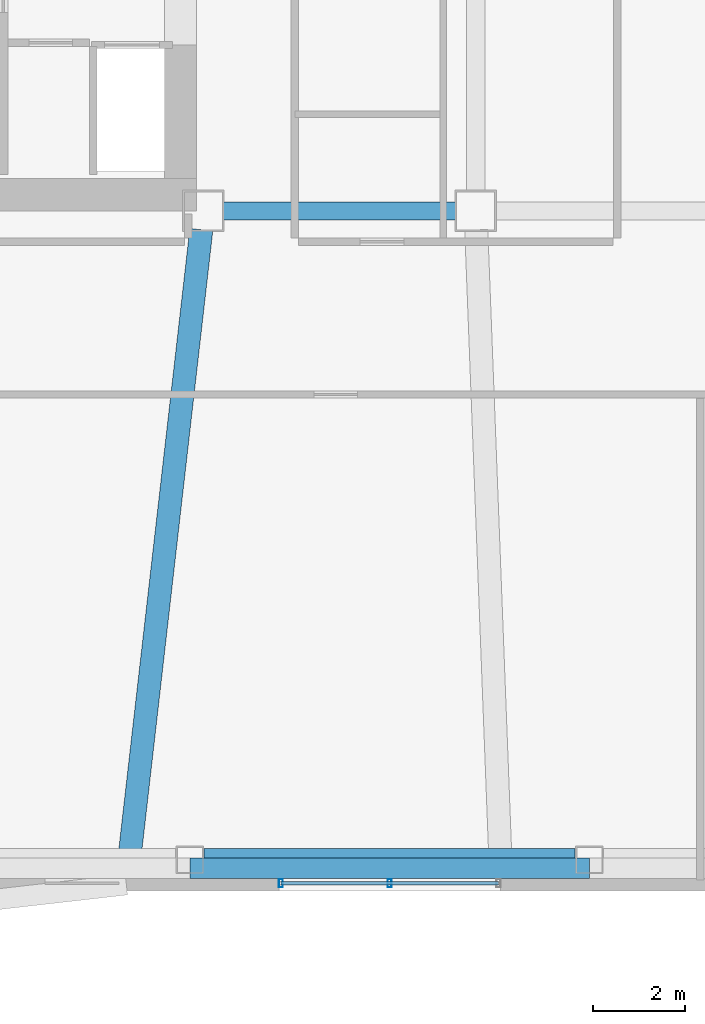
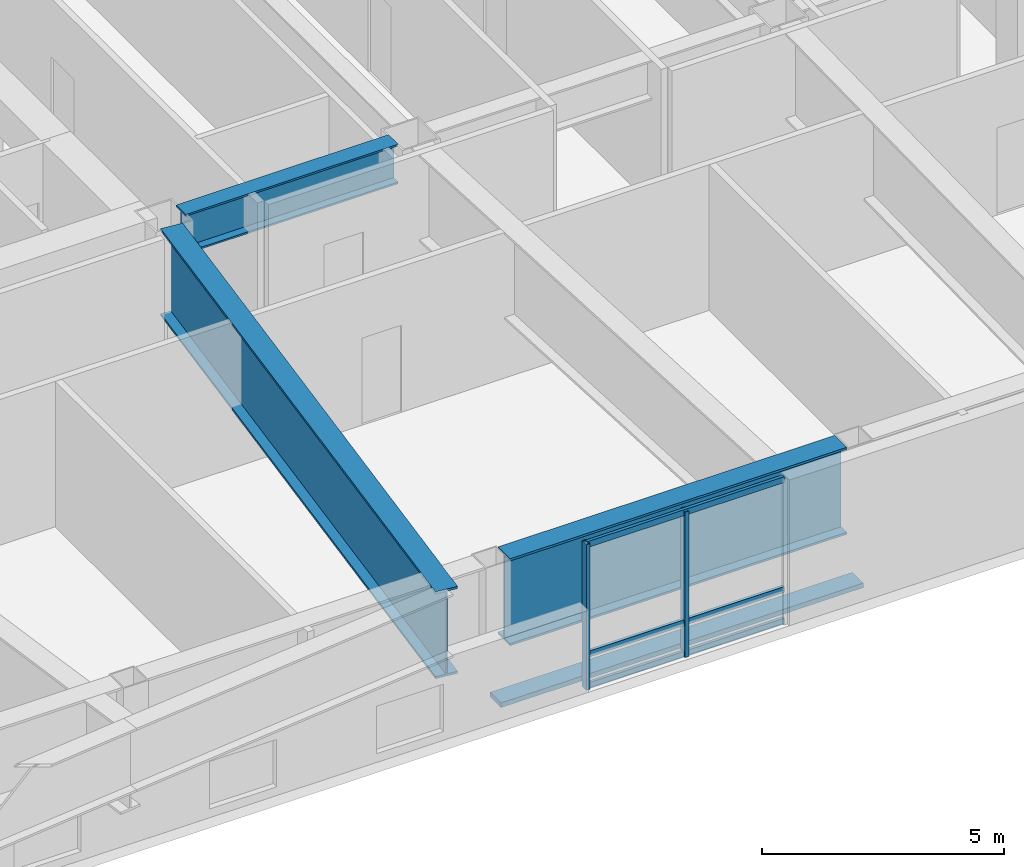
# One storey, part 2 of 19: 6 members, 3 beams, 1 element without a shape of its own.
"""IFC4 building model written with IfcOpenShell, lengths in metres."""

from ifc_helpers import new_model, si_unit, direction, frame, origin, origin_2d, place, context, subcontext, project, spatial, rectangle, hollow_rectangle, i_section, extrude, material, layer, layer_set, material_profile, profile_set, type_object, element, aggregate, save


model = new_model("IFC4")

# Units and contexts
model_context = context("Model", 3, precision=1e-05, world=origin(), true_north=direction((0.0, 1.0)))
body_context = subcontext(model_context, "Body", "Model", "MODEL_VIEW")
ifc_project = project(units=[si_unit("LENGTHUNIT", "METRE"), si_unit("AREAUNIT", "SQUARE_METRE"), si_unit("VOLUMEUNIT", "CUBIC_METRE"), si_unit("PLANEANGLEUNIT", "RADIAN"), si_unit("MASSUNIT", "GRAM", prefix="KILO")], contexts=[model_context])

# Site, building, storey
site_placement = place(None, origin())
site = spatial("IfcSite", under=ifc_project, at=site_placement, CompositionType="ELEMENT")
building_placement = place(site_placement, origin())
building = spatial("IfcBuilding", under=site, at=building_placement, Name="Tavrogorsk Clinical Tower", CompositionType="ELEMENT")
storey_placement = place(building_placement, frame((0.0, 0.0, 204.199951171875)))
storey = spatial("IfcBuildingStorey", under=building, at=storey_placement, Name="L47", CompositionType="ELEMENT", Elevation=204.199951171875)

# Member
ifc_material_1 = material(Name="Anodised aluminium alloy AW-6063", Category="aluminium")
ifc_material_profile_1 = material_profile(ifc_material_1, rectangle(XDim=0.449951171875, YDim=0.1201171875, at=origin_2d()), Name="ALU-SUNSHADE-450x120")
ifc_profile_set_1 = profile_set([ifc_material_profile_1], Name="Anodised aluminium alloy AW-6063")
member_type_1 = type_object("IfcMemberType", Name="ChicagoSunshade_450x120", PredefinedType="USERDEFINED", material=ifc_profile_set_1)
member_1_placement = place(storey_placement, frame((-10.59423828125, -20.60009765625, 0.179931640625), z_axis=(1.0, 0.0, 0.0), x_axis=(0.0, 1.0, 0.0)))
element("IfcMember", 1, at=member_1_placement, inside=storey, type_object=member_type_1, Name="L47 South Aluminium Sunshade S3", ObjectType="SUNSHADE", PredefinedType="USERDEFINED", context=body_context, shape_type="SweptSolid", body=[
    extrude(rectangle(XDim=0.449951171875, YDim=0.1201171875, at=origin_2d()), origin(), (0.0, 0.0, 1.0), 8.662841796875),
])

# Curtain wall, members
ifc_material_2 = material(Name="Anodised aluminium and triple IGU glazing", Category="aluminium")
ifc_layer = layer(ifc_material_2, 0.179931640625)
ifc_layer_set = layer_set([ifc_layer], Name="Anodised aluminium and triple IGU glazing")
curtain_wall_type = type_object("IfcCurtainWallType", Name="CW3_SouthSlot", PredefinedType="NOTDEFINED", material=ifc_layer_set)
curtain_wall_placement = place(storey_placement, origin())
curtain_wall = element("IfcCurtainWall", 2, at=curtain_wall_placement, inside=storey, type_object=curtain_wall_type, Name="L47 Curtain Wall CW-L47-S-SLOT-1", PredefinedType="NOTDEFINED")
ifc_material_3 = material(Name="Anodised aluminium alloy AW-6060", Category="aluminium")
ifc_material_profile_2 = material_profile(ifc_material_3, hollow_rectangle(XDim=0.090087890625, YDim=0.179931640625, WallThickness=0.00634765625, at=origin_2d()), Name="RHS-180x90x6.3")
ifc_profile_set_2 = profile_set([ifc_material_profile_2], Name="Anodised aluminium alloy AW-6060")
member_type_2 = type_object("IfcMemberType", Name="CwMullion_180x90", PredefinedType="MULLION", material=ifc_profile_set_2)
member_2_placement = place(storey_placement, frame((-8.621826171875, -20.929931640625, 0.0), z_axis=(0.0, 0.0, 1.0), x_axis=(1.0, 0.0, 0.0)))
member_2 = element("IfcMember", 3, at=member_2_placement, type_object=member_type_2, Name="CW-L47-S-SLOT-1 Mullion 1", PredefinedType="MULLION", context=body_context, shape_type="SweptSolid", body=[
    extrude(hollow_rectangle(XDim=0.090087890625, YDim=0.179931640625, WallThickness=0.00634765625, at=origin_2d()), origin(), (0.0, 0.0, 1.0), 3.679931640625),
])
member_3_placement = place(storey_placement, frame((-6.262939453125, -20.929931640625, 0.0), z_axis=(0.0, 0.0, 1.0), x_axis=(1.0, 0.0, 0.0)))
member_3 = element("IfcMember", 4, at=member_3_placement, type_object=member_type_2, Name="CW-L47-S-SLOT-1 Mullion 2", PredefinedType="MULLION", context=body_context, shape_type="SweptSolid", body=[
    extrude(hollow_rectangle(XDim=0.090087890625, YDim=0.179931640625, WallThickness=0.00634765625, at=origin_2d()), origin(), (0.0, 0.0, 1.0), 3.679931640625),
])
ifc_material_4 = material(Name="Anodised aluminium alloy AW-6060", Category="aluminium")
ifc_material_profile_3 = material_profile(ifc_material_4, hollow_rectangle(XDim=0.074951171875, YDim=0.14990234375, WallThickness=0.0048828125, at=origin_2d()), Name="RHS-150x75x5")
ifc_profile_set_3 = profile_set([ifc_material_profile_3], Name="Anodised aluminium alloy AW-6060")
member_type_3 = type_object("IfcMemberType", Name="CwTransom_150x75", PredefinedType="USERDEFINED", material=ifc_profile_set_3)
member_4_placement = place(storey_placement, frame((-8.621826171875, -20.929931640625, 0.050048828125), z_axis=(1.0, 0.0, 0.0), x_axis=(0.0, 1.0, 0.0)))
member_4 = element("IfcMember", 5, at=member_4_placement, type_object=member_type_3, Name="CW-L47-S-SLOT-1 Transom 1", ObjectType="TRANSOM", PredefinedType="USERDEFINED", context=body_context, shape_type="SweptSolid", body=[
    extrude(hollow_rectangle(XDim=0.074951171875, YDim=0.14990234375, WallThickness=0.0048828125, at=origin_2d()), origin(), (0.0, 0.0, 1.0), 4.718017578125),
])
member_5_placement = place(storey_placement, frame((-8.621826171875, -20.929931640625, 0.85009765625), z_axis=(1.0, 0.0, 0.0), x_axis=(0.0, 1.0, 0.0)))
member_5 = element("IfcMember", 6, at=member_5_placement, type_object=member_type_3, Name="CW-L47-S-SLOT-1 Transom 2", ObjectType="TRANSOM", PredefinedType="USERDEFINED", context=body_context, shape_type="SweptSolid", body=[
    extrude(hollow_rectangle(XDim=0.074951171875, YDim=0.14990234375, WallThickness=0.0048828125, at=origin_2d()), origin(), (0.0, 0.0, 1.0), 4.718017578125),
])
member_6_placement = place(storey_placement, frame((-8.621826171875, -20.929931640625, 3.630126953125), z_axis=(1.0, 0.0, 0.0), x_axis=(0.0, 1.0, 0.0)))
member_6 = element("IfcMember", 7, at=member_6_placement, type_object=member_type_3, Name="CW-L47-S-SLOT-1 Transom 3", ObjectType="TRANSOM", PredefinedType="USERDEFINED", context=body_context, shape_type="SweptSolid", body=[
    extrude(hollow_rectangle(XDim=0.074951171875, YDim=0.14990234375, WallThickness=0.0048828125, at=origin_2d()), origin(), (0.0, 0.0, 1.0), 4.718017578125),
])
aggregate(curtain_wall, [member_2, member_3, member_4, member_5, member_6])

# Beams
ifc_material_5 = material(Name="Structural steel S440", Category="steel")
ifc_material_profile_4 = material_profile(ifc_material_5, i_section(OverallWidth=0.39990234375, OverallDepth=1.0, WebThickness=0.028076171875, FlangeThickness=0.044921875, at=origin_2d()), Name="DK-1000x400x28x45")
ifc_profile_set_4 = profile_set([ifc_material_profile_4], Name="Structural steel S440")
beam_type_1 = type_object("IfcBeamType", Name="TransferGirder_DK1000", PredefinedType="USERDEFINED", material=ifc_profile_set_4)
beam_1_placement = place(storey_placement, frame((-9.889892578125, -6.35009765625, 3.179931640625), z_axis=(1.0, 0.0, 0.0), x_axis=(0.0, 1.0, 0.0)))
element("IfcBeam", 8, at=beam_1_placement, inside=storey, type_object=beam_type_1, Name="L47 Primary Spine Girder MG-01", ObjectType="GIRDER", PredefinedType="USERDEFINED", context=body_context, shape_type="SweptSolid", body=[
    extrude(i_section(OverallWidth=0.39990234375, OverallDepth=1.0, WebThickness=0.028076171875, FlangeThickness=0.044921875, at=origin_2d()), origin(), (0.0, 0.0, 1.0), 5.079833984375),
])
ifc_material_6 = material(Name="Structural steel S440", Category="steel")
ifc_material_profile_5 = material_profile(ifc_material_6, i_section(OverallWidth=0.5, OverallDepth=2.199951171875, WebThickness=0.035888671875, FlangeThickness=0.054931640625, at=origin_2d()), Name="DK-2200x500x36x55")
ifc_profile_set_5 = profile_set([ifc_material_profile_5], Name="Structural steel S440")
beam_type_2 = type_object("IfcBeamType", Name="TransferGirder_DK2200", PredefinedType="USERDEFINED", material=ifc_profile_set_5)
beam_2_placement = place(storey_placement, frame((-10.286376953125, -20.419921875, 2.580078125), z_axis=(1.0, 0.0, 0.0), x_axis=(0.0, 1.0, 0.0)))
element("IfcBeam", 9, at=beam_2_placement, inside=storey, type_object=beam_type_2, Name="L47 Perimeter Spandrel S3-S4", ObjectType="GIRDER", PredefinedType="USERDEFINED", context=body_context, shape_type="SweptSolid", body=[
    extrude(i_section(OverallWidth=0.5, OverallDepth=2.199951171875, WebThickness=0.035888671875, FlangeThickness=0.054931640625, at=origin_2d()), origin(), (0.0, 0.0, 1.0), 8.046875),
])
beam_3_placement = place(storey_placement, frame((-10.3466796875, -6.75732421875, 2.580078125), z_axis=(-0.11374362131, -0.993510135133, 0.0), x_axis=(0.993510135133, -0.11374362131, 0.0)))
element("IfcBeam", 10, at=beam_3_placement, inside=storey, type_object=beam_type_2, Name="L48 Block Transfer Girder S3", ObjectType="GIRDER", PredefinedType="USERDEFINED", context=body_context, shape_type="SweptSolid", body=[
    extrude(i_section(OverallWidth=0.5, OverallDepth=2.199951171875, WebThickness=0.035888671875, FlangeThickness=0.054931640625, at=origin_2d()), origin(), (0.0, 0.0, 1.0), 14.29296875),
])

save(model, "model.ifc")
